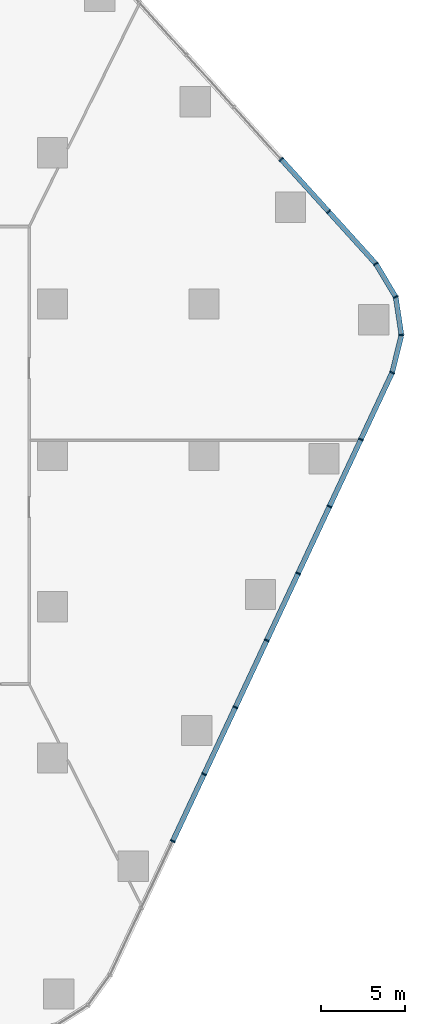
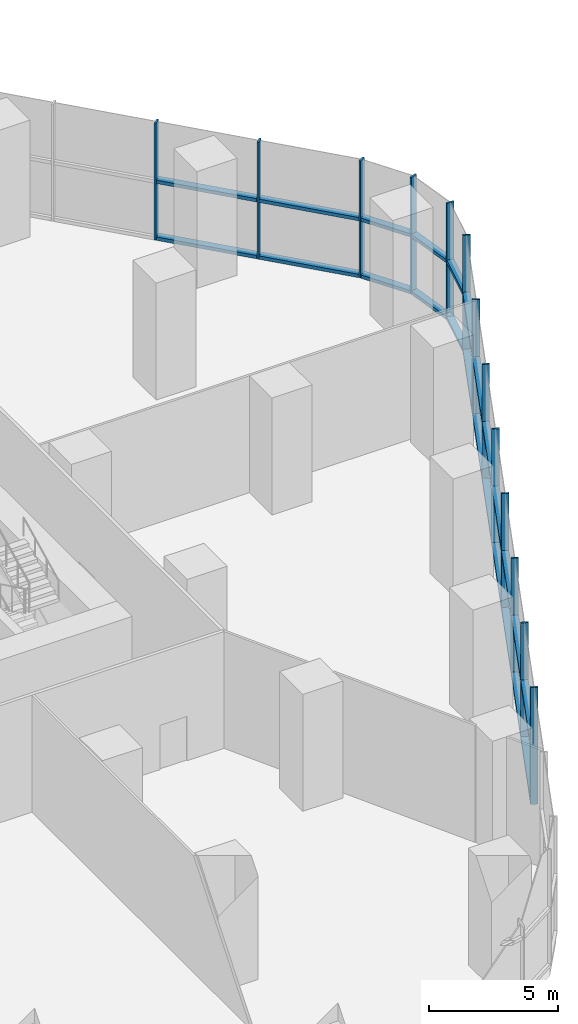
# One storey, part 5 of 15: 37 members, 3 elements without a shape of their own.
"""IFC4 building model written with IfcOpenShell, lengths in metres."""

from ifc_helpers import new_model, si_unit, direction, frame, origin, origin_2d, place, context, subcontext, project, spatial, rectangle, extrude, material, layer, layer_set, material_profile, profile_set, type_object, element, aggregate, save


model = new_model("IFC4")

# Units and contexts
model_context = context("Model", 3, precision=1e-05, world=origin(), true_north=direction((0.0, 1.0)))
body_context = subcontext(model_context, "Body", "Model", "MODEL_VIEW")
ifc_project = project(units=[si_unit("LENGTHUNIT", "METRE"), si_unit("AREAUNIT", "SQUARE_METRE"), si_unit("VOLUMEUNIT", "CUBIC_METRE"), si_unit("PLANEANGLEUNIT", "RADIAN"), si_unit("MASSUNIT", "GRAM", prefix="KILO")], contexts=[model_context])

# Site, building, storey
site_placement = place(None, origin())
site = spatial("IfcSite", under=ifc_project, at=site_placement, CompositionType="ELEMENT")
building_placement = place(site_placement, origin())
building = spatial("IfcBuilding", under=site, at=building_placement, Name="Dongbaek Canopy Tower", CompositionType="ELEMENT")
storey_placement = place(building_placement, frame((0.0, 0.0, 27.0)))
storey = spatial("IfcBuildingStorey", under=building, at=storey_placement, Name="L03", CompositionType="ELEMENT", Elevation=27.0)

# Curtain wall, members
ifc_material_1 = material(Name="Aluminium 6063-T6 pale anodised", Category="aluminium")
ifc_layer = layer(ifc_material_1, 0.300048828125)
ifc_layer_set = layer_set([ifc_layer], Name="CW-2 podium hall curtain wall")
curtain_wall_type = type_object("IfcCurtainWallType", Name="CW-2 podium hall curtain wall", PredefinedType="NOTDEFINED", material=ifc_layer_set)
curtain_wall_1_placement = place(storey_placement, origin())
curtain_wall_1 = element("IfcCurtainWall", 1, at=curtain_wall_1_placement, inside=storey, type_object=curtain_wall_type, Name="CW-2 curtain wall F0.1", PredefinedType="NOTDEFINED")
ifc_material_2 = material(Name="Aluminium 6063-T6 pale anodised", Category="aluminium")
ifc_material_profile_1 = material_profile(ifc_material_2, rectangle(XDim=0.300048828125, YDim=0.080078125, at=origin_2d()), Name="CW-2 mullion 80 x 300")
ifc_profile_set_1 = profile_set([ifc_material_profile_1], Name="Aluminium 6063-T6 pale anodised")
member_type_1 = type_object("IfcMemberType", Name="CW-2 mullion 80 x 300", PredefinedType="MULLION", material=ifc_profile_set_1)
member_1_placement = place(storey_placement, frame((25.146240234375, -22.95263671875, 0.0), z_axis=(0.0, 0.0, 1.0), x_axis=(0.905604654395, -0.424122871275, 0.0)))
member_1 = element("IfcMember", 2, at=member_1_placement, type_object=member_type_1, Name="CW-2 mullion F0.1.3", PredefinedType="MULLION", context=body_context, shape_type="SweptSolid", body=[
    extrude(rectangle(XDim=0.300048828125, YDim=0.080078125, at=origin_2d()), origin(), (0.0, 0.0, 1.0), 5.550048828125),
])
member_2_placement = place(storey_placement, frame((27.011474609375, -18.9697265625, 0.0), z_axis=(0.0, 0.0, 1.0), x_axis=(0.905604654395, -0.424122871275, 0.0)))
member_2 = element("IfcMember", 3, at=member_2_placement, type_object=member_type_1, Name="CW-2 mullion F0.1.4", PredefinedType="MULLION", context=body_context, shape_type="SweptSolid", body=[
    extrude(rectangle(XDim=0.300048828125, YDim=0.080078125, at=origin_2d()), origin(), (0.0, 0.0, 1.0), 5.550048828125),
])
member_3_placement = place(storey_placement, frame((28.876953125, -14.98681640625, 0.0), z_axis=(0.0, 0.0, 1.0), x_axis=(0.905604654395, -0.424122871275, 0.0)))
member_3 = element("IfcMember", 4, at=member_3_placement, type_object=member_type_1, Name="CW-2 mullion F0.1.5", PredefinedType="MULLION", context=body_context, shape_type="SweptSolid", body=[
    extrude(rectangle(XDim=0.300048828125, YDim=0.080078125, at=origin_2d()), origin(), (0.0, 0.0, 1.0), 5.550048828125),
])
member_4_placement = place(storey_placement, frame((30.7421875, -11.00390625, 0.0), z_axis=(0.0, 0.0, 1.0), x_axis=(0.905604654395, -0.424122871275, 0.0)))
member_4 = element("IfcMember", 5, at=member_4_placement, type_object=member_type_1, Name="CW-2 mullion F0.1.6", PredefinedType="MULLION", context=body_context, shape_type="SweptSolid", body=[
    extrude(rectangle(XDim=0.300048828125, YDim=0.080078125, at=origin_2d()), origin(), (0.0, 0.0, 1.0), 5.550048828125),
])
member_5_placement = place(storey_placement, frame((32.607421875, -7.02099609375, 0.0), z_axis=(0.0, 0.0, 1.0), x_axis=(0.905604654395, -0.424122871275, 0.0)))
member_5 = element("IfcMember", 6, at=member_5_placement, type_object=member_type_1, Name="CW-2 mullion F0.1.7", PredefinedType="MULLION", context=body_context, shape_type="SweptSolid", body=[
    extrude(rectangle(XDim=0.300048828125, YDim=0.080078125, at=origin_2d()), origin(), (0.0, 0.0, 1.0), 5.550048828125),
])
member_6_placement = place(storey_placement, frame((34.472900390625, -3.0380859375, 0.0), z_axis=(0.0, 0.0, 1.0), x_axis=(0.905604654395, -0.424122871275, 0.0)))
member_6 = element("IfcMember", 7, at=member_6_placement, type_object=member_type_1, Name="CW-2 mullion F0.1.8", PredefinedType="MULLION", context=body_context, shape_type="SweptSolid", body=[
    extrude(rectangle(XDim=0.300048828125, YDim=0.080078125, at=origin_2d()), origin(), (0.0, 0.0, 1.0), 5.550048828125),
])
member_7_placement = place(storey_placement, frame((36.338134765625, 0.94482421875, 0.0), z_axis=(0.0, 0.0, 1.0), x_axis=(0.905604654395, -0.424122871275, 0.0)))
member_7 = element("IfcMember", 8, at=member_7_placement, type_object=member_type_1, Name="CW-2 mullion F0.1.9", PredefinedType="MULLION", context=body_context, shape_type="SweptSolid", body=[
    extrude(rectangle(XDim=0.300048828125, YDim=0.080078125, at=origin_2d()), origin(), (0.0, 0.0, 1.0), 5.550048828125),
])
member_8_placement = place(storey_placement, frame((38.19921875, 4.918701171875, 0.0), z_axis=(0.0, 0.0, 1.0), x_axis=(0.905604654395, -0.424122871275, 0.0)))
member_8 = element("IfcMember", 9, at=member_8_placement, type_object=member_type_1, Name="CW-2 mullion F0.1.10", PredefinedType="MULLION", context=body_context, shape_type="SweptSolid", body=[
    extrude(rectangle(XDim=0.300048828125, YDim=0.080078125, at=origin_2d()), origin(), (0.0, 0.0, 1.0), 5.550048828125),
])

curtain_wall_2_placement = place(storey_placement, origin())
curtain_wall_2 = element("IfcCurtainWall", 10, at=curtain_wall_2_placement, inside=storey, type_object=curtain_wall_type, Name="CW-2 curtain wall K1.1", PredefinedType="NOTDEFINED")
member_9_placement = place(storey_placement, frame((38.751953125, 7.15478515625, 0.0), z_axis=(0.0, 0.0, 1.0), x_axis=(0.998910074413, -0.046676152764, 0.0)))
member_9 = element("IfcMember", 11, at=member_9_placement, type_object=member_type_1, Name="CW-2 mullion K1.1.2", PredefinedType="MULLION", context=body_context, shape_type="SweptSolid", body=[
    extrude(rectangle(XDim=0.300048828125, YDim=0.080078125, at=origin_2d()), origin(), (0.0, 0.0, 1.0), 5.550048828125),
])
member_10_placement = place(storey_placement, frame((38.41162109375, 9.422607421875, 0.0), z_axis=(0.0, 0.0, 1.0), x_axis=(0.941208325006, 0.337826714365, 0.0)))
member_10 = element("IfcMember", 12, at=member_10_placement, type_object=member_type_1, Name="CW-2 mullion K1.1.3", PredefinedType="MULLION", context=body_context, shape_type="SweptSolid", body=[
    extrude(rectangle(XDim=0.300048828125, YDim=0.080078125, at=origin_2d()), origin(), (0.0, 0.0, 1.0), 5.550048828125),
])
member_11_placement = place(storey_placement, frame((37.22705078125, 11.397705078125, 0.0), z_axis=(0.0, 0.0, 1.0), x_axis=(0.857576465297, 0.514356497159, 0.0)))
member_11 = element("IfcMember", 13, at=member_11_placement, type_object=member_type_1, Name="CW-2 mullion K1.1.4", PredefinedType="MULLION", context=body_context, shape_type="SweptSolid", body=[
    extrude(rectangle(XDim=0.300048828125, YDim=0.080078125, at=origin_2d()), origin(), (0.0, 0.0, 1.0), 5.550048828125),
])

curtain_wall_3_placement = place(storey_placement, origin())
curtain_wall_3 = element("IfcCurtainWall", 14, at=curtain_wall_3_placement, inside=storey, type_object=curtain_wall_type, Name="CW-2 curtain wall F1.1", PredefinedType="NOTDEFINED")
member_12_placement = place(storey_placement, frame((34.41748046875, 14.5, 0.0), z_axis=(0.0, 0.0, 1.0), x_axis=(0.741222236547, 0.671259708345, 0.0)))
member_12 = element("IfcMember", 15, at=member_12_placement, type_object=member_type_1, Name="CW-2 mullion F1.1.2", PredefinedType="MULLION", context=body_context, shape_type="SweptSolid", body=[
    extrude(rectangle(XDim=0.300048828125, YDim=0.080078125, at=origin_2d()), origin(), (0.0, 0.0, 1.0), 5.550048828125),
])
member_13_placement = place(storey_placement, frame((31.6015625, 17.609619140625, 0.0), z_axis=(0.0, 0.0, 1.0), x_axis=(0.741222236547, 0.671259708345, 0.0)))
member_13 = element("IfcMember", 16, at=member_13_placement, type_object=member_type_1, Name="CW-2 mullion F1.1.3", PredefinedType="MULLION", context=body_context, shape_type="SweptSolid", body=[
    extrude(rectangle(XDim=0.300048828125, YDim=0.080078125, at=origin_2d()), origin(), (0.0, 0.0, 1.0), 5.550048828125),
])

# Member
ifc_material_3 = material(Name="Aluminium 6063-T6 pale anodised", Category="aluminium")
ifc_material_profile_2 = material_profile(ifc_material_3, rectangle(XDim=0.300048828125, YDim=0.159912109375, at=origin_2d()), Name="CW-2 transom 160 x 300")
ifc_profile_set_2 = profile_set([ifc_material_profile_2], Name="Aluminium 6063-T6 pale anodised")
member_type_2 = type_object("IfcMemberType", Name="CW-2 transom 160 x 300", PredefinedType="USERDEFINED", material=ifc_profile_set_2)
member_14_placement = place(storey_placement, frame((25.168212890625, -22.905517578125, 0.080078125), z_axis=(0.424142520697, 0.905595451698, 0.0), x_axis=(-0.905595451698, 0.424142520697, 0.0)))
member_14 = element("IfcMember", 17, at=member_14_placement, type_object=member_type_2, Name="CW-2 transom F0.1.3.1", ObjectType="TRANSOM", PredefinedType="USERDEFINED", context=body_context, shape_type="SweptSolid", body=[
    extrude(rectangle(XDim=0.300048828125, YDim=0.159912109375, at=origin_2d()), origin(), (0.0, 0.0, 1.0), 4.2939453125),
])

member_15_placement = place(storey_placement, frame((25.168212890625, -22.905517578125, 2.77490234375), z_axis=(0.424142520697, 0.905595451698, 0.0), x_axis=(-0.905595451698, 0.424142520697, 0.0)))
member_15 = element("IfcMember", 18, at=member_15_placement, type_object=member_type_2, Name="CW-2 transom F0.1.3.2", ObjectType="TRANSOM", PredefinedType="USERDEFINED", context=body_context, shape_type="SweptSolid", body=[
    extrude(rectangle(XDim=0.300048828125, YDim=0.159912109375, at=origin_2d()), origin(), (0.0, 0.0, 1.0), 4.2939453125),
])

member_16_placement = place(storey_placement, frame((27.03369140625, -18.922607421875, 0.080078125), z_axis=(0.424095891584, 0.905617289335, 0.0), x_axis=(-0.905617289335, 0.424095891584, 0.0)))
member_16 = element("IfcMember", 19, at=member_16_placement, type_object=member_type_2, Name="CW-2 transom F0.1.4.1", ObjectType="TRANSOM", PredefinedType="USERDEFINED", context=body_context, shape_type="SweptSolid", body=[
    extrude(rectangle(XDim=0.300048828125, YDim=0.159912109375, at=origin_2d()), origin(), (0.0, 0.0, 1.0), 4.2939453125),
])

member_17_placement = place(storey_placement, frame((27.03369140625, -18.922607421875, 2.77490234375), z_axis=(0.424095891584, 0.905617289335, 0.0), x_axis=(-0.905617289335, 0.424095891584, 0.0)))
member_17 = element("IfcMember", 20, at=member_17_placement, type_object=member_type_2, Name="CW-2 transom F0.1.4.2", ObjectType="TRANSOM", PredefinedType="USERDEFINED", context=body_context, shape_type="SweptSolid", body=[
    extrude(rectangle(XDim=0.300048828125, YDim=0.159912109375, at=origin_2d()), origin(), (0.0, 0.0, 1.0), 4.2939453125),
])

member_18_placement = place(storey_placement, frame((28.89892578125, -14.939697265625, 0.080078125), z_axis=(0.424142520697, 0.905595451698, 0.0), x_axis=(-0.905595451698, 0.424142520697, 0.0)))
member_18 = element("IfcMember", 21, at=member_18_placement, type_object=member_type_2, Name="CW-2 transom F0.1.5.1", ObjectType="TRANSOM", PredefinedType="USERDEFINED", context=body_context, shape_type="SweptSolid", body=[
    extrude(rectangle(XDim=0.300048828125, YDim=0.159912109375, at=origin_2d()), origin(), (0.0, 0.0, 1.0), 4.2939453125),
])

member_19_placement = place(storey_placement, frame((28.89892578125, -14.939697265625, 2.77490234375), z_axis=(0.424142520697, 0.905595451698, 0.0), x_axis=(-0.905595451698, 0.424142520697, 0.0)))
member_19 = element("IfcMember", 22, at=member_19_placement, type_object=member_type_2, Name="CW-2 transom F0.1.5.2", ObjectType="TRANSOM", PredefinedType="USERDEFINED", context=body_context, shape_type="SweptSolid", body=[
    extrude(rectangle(XDim=0.300048828125, YDim=0.159912109375, at=origin_2d()), origin(), (0.0, 0.0, 1.0), 4.2939453125),
])

member_20_placement = place(storey_placement, frame((30.76416015625, -10.956787109375, 0.080078125), z_axis=(0.424142520697, 0.905595451698, 0.0), x_axis=(-0.905595451698, 0.424142520697, 0.0)))
member_20 = element("IfcMember", 23, at=member_20_placement, type_object=member_type_2, Name="CW-2 transom F0.1.6.1", ObjectType="TRANSOM", PredefinedType="USERDEFINED", context=body_context, shape_type="SweptSolid", body=[
    extrude(rectangle(XDim=0.300048828125, YDim=0.159912109375, at=origin_2d()), origin(), (0.0, 0.0, 1.0), 4.2939453125),
])

member_21_placement = place(storey_placement, frame((30.76416015625, -10.956787109375, 2.77490234375), z_axis=(0.424142520697, 0.905595451698, 0.0), x_axis=(-0.905595451698, 0.424142520697, 0.0)))
member_21 = element("IfcMember", 24, at=member_21_placement, type_object=member_type_2, Name="CW-2 transom F0.1.6.2", ObjectType="TRANSOM", PredefinedType="USERDEFINED", context=body_context, shape_type="SweptSolid", body=[
    extrude(rectangle(XDim=0.300048828125, YDim=0.159912109375, at=origin_2d()), origin(), (0.0, 0.0, 1.0), 4.2939453125),
])

member_22_placement = place(storey_placement, frame((32.629638671875, -6.973876953125, 0.080078125), z_axis=(0.424095891584, 0.905617289335, 0.0), x_axis=(-0.905617289335, 0.424095891584, 0.0)))
member_22 = element("IfcMember", 25, at=member_22_placement, type_object=member_type_2, Name="CW-2 transom F0.1.7.1", ObjectType="TRANSOM", PredefinedType="USERDEFINED", context=body_context, shape_type="SweptSolid", body=[
    extrude(rectangle(XDim=0.300048828125, YDim=0.159912109375, at=origin_2d()), origin(), (0.0, 0.0, 1.0), 4.2939453125),
])

member_23_placement = place(storey_placement, frame((32.629638671875, -6.973876953125, 2.77490234375), z_axis=(0.424095891584, 0.905617289335, 0.0), x_axis=(-0.905617289335, 0.424095891584, 0.0)))
member_23 = element("IfcMember", 26, at=member_23_placement, type_object=member_type_2, Name="CW-2 transom F0.1.7.2", ObjectType="TRANSOM", PredefinedType="USERDEFINED", context=body_context, shape_type="SweptSolid", body=[
    extrude(rectangle(XDim=0.300048828125, YDim=0.159912109375, at=origin_2d()), origin(), (0.0, 0.0, 1.0), 4.2939453125),
])

member_24_placement = place(storey_placement, frame((34.494873046875, -2.990966796875, 0.080078125), z_axis=(0.424142520697, 0.905595451698, 0.0), x_axis=(-0.905595451698, 0.424142520697, 0.0)))
member_24 = element("IfcMember", 27, at=member_24_placement, type_object=member_type_2, Name="CW-2 transom F0.1.8.1", ObjectType="TRANSOM", PredefinedType="USERDEFINED", context=body_context, shape_type="SweptSolid", body=[
    extrude(rectangle(XDim=0.300048828125, YDim=0.159912109375, at=origin_2d()), origin(), (0.0, 0.0, 1.0), 4.2939453125),
])

member_25_placement = place(storey_placement, frame((34.494873046875, -2.990966796875, 2.77490234375), z_axis=(0.424142520697, 0.905595451698, 0.0), x_axis=(-0.905595451698, 0.424142520697, 0.0)))
member_25 = element("IfcMember", 28, at=member_25_placement, type_object=member_type_2, Name="CW-2 transom F0.1.8.2", ObjectType="TRANSOM", PredefinedType="USERDEFINED", context=body_context, shape_type="SweptSolid", body=[
    extrude(rectangle(XDim=0.300048828125, YDim=0.159912109375, at=origin_2d()), origin(), (0.0, 0.0, 1.0), 4.2939453125),
])

member_26_placement = place(storey_placement, frame((36.360107421875, 0.991943359375, 0.080078125), z_axis=(0.424157907477, 0.905588245024, 0.0), x_axis=(-0.905588245024, 0.424157907477, 0.0)))
member_26 = element("IfcMember", 29, at=member_26_placement, type_object=member_type_2, Name="CW-2 transom F0.1.9.1", ObjectType="TRANSOM", PredefinedType="USERDEFINED", context=body_context, shape_type="SweptSolid", body=[
    extrude(rectangle(XDim=0.300048828125, YDim=0.159912109375, at=origin_2d()), origin(), (0.0, 0.0, 1.0), 4.2841796875),
])

member_27_placement = place(storey_placement, frame((36.360107421875, 0.991943359375, 2.77490234375), z_axis=(0.424157907477, 0.905588245024, 0.0), x_axis=(-0.905588245024, 0.424157907477, 0.0)))
member_27 = element("IfcMember", 30, at=member_27_placement, type_object=member_type_2, Name="CW-2 transom F0.1.9.2", ObjectType="TRANSOM", PredefinedType="USERDEFINED", context=body_context, shape_type="SweptSolid", body=[
    extrude(rectangle(XDim=0.300048828125, YDim=0.159912109375, at=origin_2d()), origin(), (0.0, 0.0, 1.0), 4.2841796875),
])

aggregate(curtain_wall_1, [member_1, member_2, member_3, member_4, member_5, member_6, member_7, member_8, member_14, member_15, member_16, member_17, member_18, member_19, member_20, member_21, member_22, member_23, member_24, member_25, member_26, member_27])

member_28_placement = place(storey_placement, frame((38.2119140625, 4.96923828125, 0.080078125), z_axis=(0.23989656478, 0.970798453958, 0.0), x_axis=(-0.970798453958, 0.23989656478, 0.0)))
member_28 = element("IfcMember", 31, at=member_28_placement, type_object=member_type_2, Name="CW-2 transom K1.1.1.1", ObjectType="TRANSOM", PredefinedType="USERDEFINED", context=body_context, shape_type="SweptSolid", body=[
    extrude(rectangle(XDim=0.300048828125, YDim=0.159912109375, at=origin_2d()), origin(), (0.0, 0.0, 1.0), 2.19921875),
])

member_29_placement = place(storey_placement, frame((38.2119140625, 4.96923828125, 2.77490234375), z_axis=(0.23989656478, 0.970798453958, 0.0), x_axis=(-0.970798453958, 0.23989656478, 0.0)))
member_29 = element("IfcMember", 32, at=member_29_placement, type_object=member_type_2, Name="CW-2 transom K1.1.1.2", ObjectType="TRANSOM", PredefinedType="USERDEFINED", context=body_context, shape_type="SweptSolid", body=[
    extrude(rectangle(XDim=0.300048828125, YDim=0.159912109375, at=origin_2d()), origin(), (0.0, 0.0, 1.0), 2.19921875),
])

member_30_placement = place(storey_placement, frame((38.744384765625, 7.2060546875, 0.080078125), z_axis=(-0.14842770198, 0.988923261575, 0.0), x_axis=(-0.988923261575, -0.14842770198, 0.0)))
member_30 = element("IfcMember", 33, at=member_30_placement, type_object=member_type_2, Name="CW-2 transom K1.1.2.1", ObjectType="TRANSOM", PredefinedType="USERDEFINED", context=body_context, shape_type="SweptSolid", body=[
    extrude(rectangle(XDim=0.300048828125, YDim=0.159912109375, at=origin_2d()), origin(), (0.0, 0.0, 1.0), 2.189208984375),
])

member_31_placement = place(storey_placement, frame((38.744384765625, 7.2060546875, 2.77490234375), z_axis=(-0.14842770198, 0.988923261575, 0.0), x_axis=(-0.988923261575, -0.14842770198, 0.0)))
member_31 = element("IfcMember", 34, at=member_31_placement, type_object=member_type_2, Name="CW-2 transom K1.1.2.2", ObjectType="TRANSOM", PredefinedType="USERDEFINED", context=body_context, shape_type="SweptSolid", body=[
    extrude(rectangle(XDim=0.300048828125, YDim=0.159912109375, at=origin_2d()), origin(), (0.0, 0.0, 1.0), 2.189208984375),
])

member_32_placement = place(storey_placement, frame((38.385009765625, 9.467041015625, 0.080078125), z_axis=(-0.514332488752, 0.857590864582, 0.0), x_axis=(-0.857590864582, -0.514332488752, 0.0)))
member_32 = element("IfcMember", 35, at=member_32_placement, type_object=member_type_2, Name="CW-2 transom K1.1.3.1", ObjectType="TRANSOM", PredefinedType="USERDEFINED", context=body_context, shape_type="SweptSolid", body=[
    extrude(rectangle(XDim=0.300048828125, YDim=0.159912109375, at=origin_2d()), origin(), (0.0, 0.0, 1.0), 2.19921875),
])

member_33_placement = place(storey_placement, frame((38.385009765625, 9.467041015625, 2.77490234375), z_axis=(-0.514332488752, 0.857590864582, 0.0), x_axis=(-0.857590864582, -0.514332488752, 0.0)))
member_33 = element("IfcMember", 36, at=member_33_placement, type_object=member_type_2, Name="CW-2 transom K1.1.3.2", ObjectType="TRANSOM", PredefinedType="USERDEFINED", context=body_context, shape_type="SweptSolid", body=[
    extrude(rectangle(XDim=0.300048828125, YDim=0.159912109375, at=origin_2d()), origin(), (0.0, 0.0, 1.0), 2.19921875),
])

aggregate(curtain_wall_2, [member_9, member_10, member_11, member_28, member_29, member_30, member_31, member_32, member_33])

member_34_placement = place(storey_placement, frame((37.192138671875, 11.436279296875, 0.080078125), z_axis=(-0.671278192509, 0.741205496648, 0.0), x_axis=(-0.741205496648, -0.671278192509, 0.0)))
member_34 = element("IfcMember", 37, at=member_34_placement, type_object=member_type_2, Name="CW-2 transom F1.1.1.1", ObjectType="TRANSOM", PredefinedType="USERDEFINED", context=body_context, shape_type="SweptSolid", body=[
    extrude(rectangle(XDim=0.300048828125, YDim=0.159912109375, at=origin_2d()), origin(), (0.0, 0.0, 1.0), 4.081298828125),
])

member_35_placement = place(storey_placement, frame((37.192138671875, 11.436279296875, 2.77490234375), z_axis=(-0.671278192509, 0.741205496648, 0.0), x_axis=(-0.741205496648, -0.671278192509, 0.0)))
member_35 = element("IfcMember", 38, at=member_35_placement, type_object=member_type_2, Name="CW-2 transom F1.1.1.2", ObjectType="TRANSOM", PredefinedType="USERDEFINED", context=body_context, shape_type="SweptSolid", body=[
    extrude(rectangle(XDim=0.300048828125, YDim=0.159912109375, at=origin_2d()), origin(), (0.0, 0.0, 1.0), 4.081298828125),
])

member_36_placement = place(storey_placement, frame((34.3828125, 14.53857421875, 0.080078125), z_axis=(-0.671272628387, 0.741210535798, 0.0), x_axis=(-0.741210535798, -0.671272628387, 0.0)))
member_36 = element("IfcMember", 39, at=member_36_placement, type_object=member_type_2, Name="CW-2 transom F1.1.2.1", ObjectType="TRANSOM", PredefinedType="USERDEFINED", context=body_context, shape_type="SweptSolid", body=[
    extrude(rectangle(XDim=0.300048828125, YDim=0.159912109375, at=origin_2d()), origin(), (0.0, 0.0, 1.0), 4.09130859375),
])

member_37_placement = place(storey_placement, frame((34.3828125, 14.53857421875, 2.77490234375), z_axis=(-0.671272628387, 0.741210535798, 0.0), x_axis=(-0.741210535798, -0.671272628387, 0.0)))
member_37 = element("IfcMember", 40, at=member_37_placement, type_object=member_type_2, Name="CW-2 transom F1.1.2.2", ObjectType="TRANSOM", PredefinedType="USERDEFINED", context=body_context, shape_type="SweptSolid", body=[
    extrude(rectangle(XDim=0.300048828125, YDim=0.159912109375, at=origin_2d()), origin(), (0.0, 0.0, 1.0), 4.09130859375),
])

aggregate(curtain_wall_3, [member_12, member_13, member_34, member_35, member_36, member_37])

save(model, "model.ifc")
